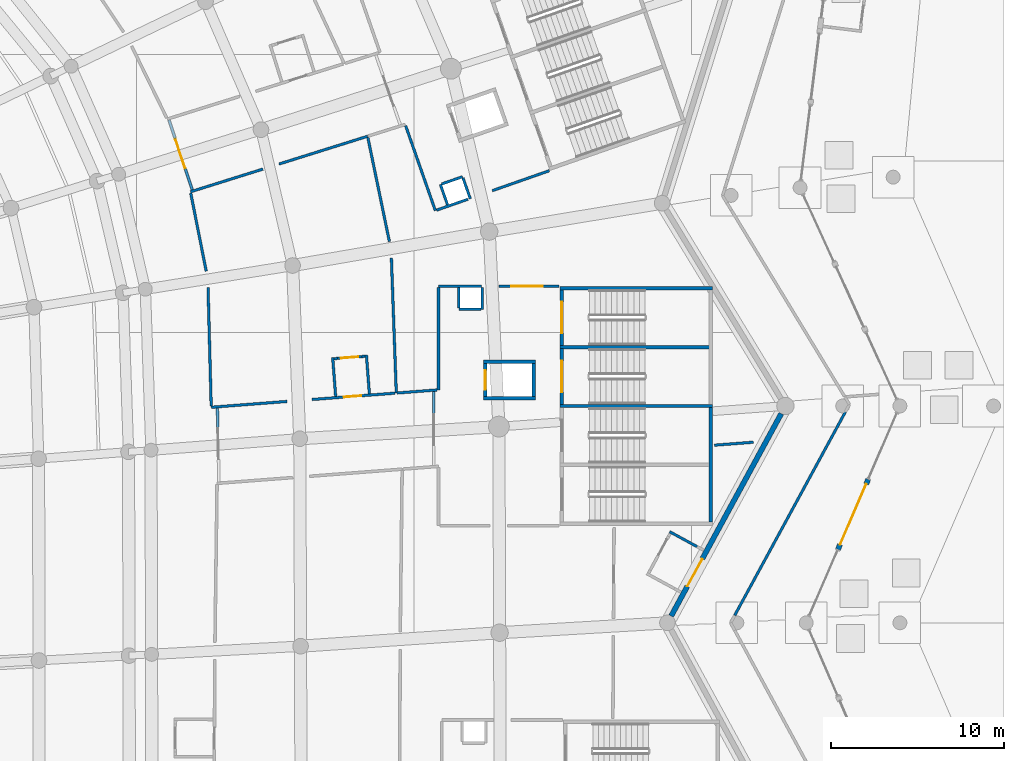
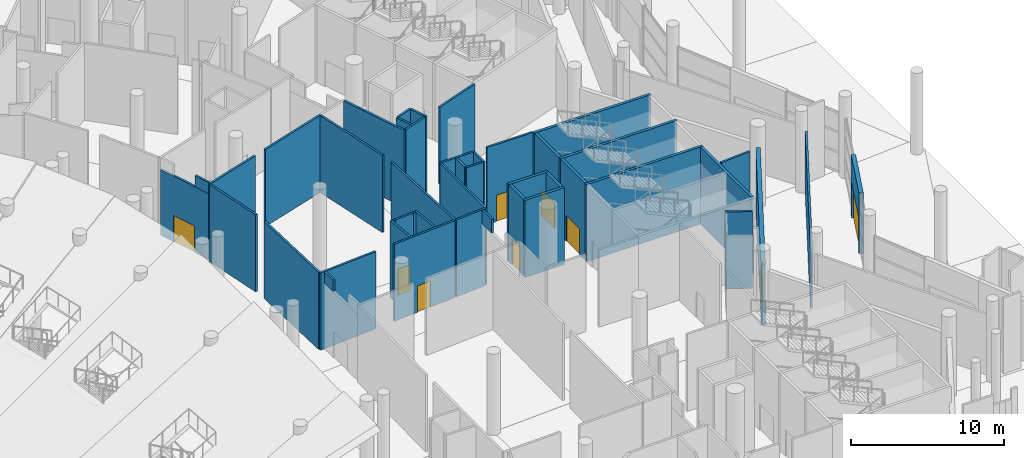
# One storey, part 147 of 255: 45 walls, 9 doors, 9 openings.
"""IFC4 building model written with IfcOpenShell, lengths in metres."""

import ifcopenshell
import ifcopenshell.guid

model = None  # the IFC model being written
_history = None  # IfcOwnerHistory: only IFC2X3 demands one
_inside = {}  # id of a spatial element -> (the spatial element, [elements in it])
_under = {}  # id of a project, library or spatial element -> (it, [spatial elements below it])
_declared = {}  # id of a project -> (the project, [libraries it declares])
_typed = {}  # id of a type object -> (the type object, [elements of that type])
_made_of = {}  # id of a material, layer set ... -> (it, [elements and type objects made of it])


def new_model(schema):
    """Start an empty IFC model of exactly this schema.

    Asked for "IFC4X3", IfcOpenShell would pick the latest addendum, in which some entities
    have other attributes; the version numbers below select the first issue.
    IFC2X3 requires an IfcOwnerHistory on every rooted entity: one is made here for all.
    """
    global model, _history
    if schema == "IFC4X3":
        model = ifcopenshell.file(schema_version=(4, 3, 0, 0))
    else:
        model = ifcopenshell.file(schema=schema)
    _inside.clear()
    _under.clear()
    _declared.clear()
    _typed.clear()
    _made_of.clear()
    _history = None
    if model.schema == "IFC2X3":
        org = make("IfcOrganization", Name="unknown")
        user = make(
            "IfcPersonAndOrganization",
            ThePerson=make("IfcPerson", FamilyName="unknown"),
            TheOrganization=org,
        )
        app = make(
            "IfcApplication",
            ApplicationDeveloper=org,
            Version="unknown",
            ApplicationFullName="unknown",
            ApplicationIdentifier="unknown",
        )
        _history = make(
            "IfcOwnerHistory",
            OwningUser=user,
            OwningApplication=app,
            ChangeAction="ADDED",
            CreationDate=0,
        )
    return model


def make(cls, **values):
    """One entity of the class cls with the attributes given. An attribute that is None is left unset."""
    return model.create_entity(
        cls, **{name: value for name, value in values.items() if value is not None}
    )


def rooted(cls, **values):
    """An entity with a GlobalId (a new one), such as an element, a storey or a relation."""
    return make(cls, GlobalId=ifcopenshell.guid.new(), OwnerHistory=_history, **values)


def si_unit(unit_type, name, prefix=None):
    """IfcSIUnit, for example si_unit("LENGTHUNIT", "METRE", prefix="MILLI")."""
    return make("IfcSIUnit", UnitType=unit_type, Prefix=prefix, Name=name)


def assignment(units):
    """IfcUnitAssignment: the units of a project."""
    return None if units is None else make("IfcUnitAssignment", Units=units)


def point(xyz):
    """IfcCartesianPoint."""
    return None if xyz is None else make("IfcCartesianPoint", Coordinates=xyz)


def direction(xyz):
    """IfcDirection."""
    return None if xyz is None else make("IfcDirection", DirectionRatios=xyz)


def frame(location, z_axis=None, x_axis=None):
    """IfcAxis2Placement3D, a coordinate frame: its origin and axes. An axis left out is left unset."""
    return make(
        "IfcAxis2Placement3D",
        Location=point(location),
        Axis=direction(z_axis),
        RefDirection=direction(x_axis),
    )


def frame_2d(location, x_axis=None):
    """IfcAxis2Placement2D, a coordinate frame in the plane: its origin and x axis."""
    return make(
        "IfcAxis2Placement2D", Location=point(location), RefDirection=direction(x_axis)
    )


def origin():
    """The frame at (0, 0, 0) with its axes left unset."""
    return frame((0.0, 0.0, 0.0))


def place(relative_to, where):
    """IfcLocalPlacement: puts the frame where relative to a parent placement (None: the world)."""
    return make(
        "IfcLocalPlacement", PlacementRelTo=relative_to, RelativePlacement=where
    )


def context(
    kind, dimensions, precision=None, world=None, true_north=None, identifier=None
):
    """IfcGeometricRepresentationContext, for example the 3D "Model" context."""
    return make(
        "IfcGeometricRepresentationContext",
        ContextIdentifier=identifier,
        ContextType=kind,
        CoordinateSpaceDimension=dimensions,
        Precision=precision,
        WorldCoordinateSystem=world,
        TrueNorth=true_north,
    )


def subcontext(parent, identifier, kind, view, scale=None):
    """IfcGeometricRepresentationSubContext, for example "Body" below "Model"."""
    return make(
        "IfcGeometricRepresentationSubContext",
        ContextIdentifier=identifier,
        ContextType=kind,
        ParentContext=parent,
        TargetScale=scale,
        TargetView=view,
    )


def project(units=None, contexts=None):
    """IfcProject with its units and contexts."""
    return rooted(
        "IfcProject",
        Name="project",
        RepresentationContexts=contexts,
        UnitsInContext=assignment(units),
    )


def spatial(cls, under=None, at=None, **own):
    """A site, building, storey or space (cls), placed at a placement, below another one or the project."""
    s = rooted(cls, ObjectPlacement=at, **own)
    if under is not None:
        _under.setdefault(under.id(), (under, []))[1].append(s)
    return s


def profile(cls, at=None, kind="AREA", **sizes):
    """A parametric profile (cls). Its sizes go by their IFC names, for example OverallWidth=200.0."""
    return make(cls, ProfileType=kind, Position=at, **sizes)


def rectangle(**sizes):
    """IfcRectangleProfileDef."""
    return profile("IfcRectangleProfileDef", **sizes)


def extrude(swept, where, along, depth):
    """IfcExtrudedAreaSolid: the profile swept, set in the frame where, extruded along a direction by depth."""
    return make(
        "IfcExtrudedAreaSolid",
        SweptArea=swept,
        Position=where,
        ExtrudedDirection=direction(along),
        Depth=depth,
    )


def shape(context_of_items, identifier, shape_type, items):
    """IfcShapeRepresentation: the items that make up one representation, for example the "Body"."""
    return make(
        "IfcShapeRepresentation",
        ContextOfItems=context_of_items,
        RepresentationIdentifier=identifier,
        RepresentationType=shape_type,
        Items=items,
    )


def material(Name=None, Category=None):
    """IfcMaterial."""
    return make("IfcMaterial", Name=Name, Category=Category)


def layer(
    of_material, thickness, ventilated=None, Name=None, Category=None, Priority=None
):
    """IfcMaterialLayer: one layer of a wall or slab, of a material (None: an air gap)."""
    return make(
        "IfcMaterialLayer",
        Material=of_material,
        LayerThickness=thickness,
        IsVentilated=ventilated,
        Name=Name,
        Category=Category,
        Priority=Priority,
    )


def layer_set(layers, Name=None):
    """IfcMaterialLayerSet."""
    return make("IfcMaterialLayerSet", MaterialLayers=layers, LayerSetName=Name)


def made_of(thing, what):
    """Note that an element or type object is made of a material, layer set ...; save() writes the relation."""
    if what is not None:
        _made_of.setdefault(what.id(), (what, []))[1].append(thing)
    return thing


def type_object(cls, material=None, **own):
    """A type object (cls), such as IfcWallType, which elements share."""
    return made_of(rooted(cls, **own), material)


def element(
    cls,
    number,
    at=None,
    inside=None,
    cuts=None,
    type_object=None,
    material=None,
    context=None,
    identifier="Body",
    shape_type=None,
    held_by="IfcProductDefinitionShape",
    body=None,
    shapes=None,
    **own,
):
    """One element of the class cls, such as IfcWall. Its Tag is "e" and its number.

    at: its placement. inside: the storey or other place that contains it. cuts: it is an
    opening in that element (IfcRelVoidsElement). A single representation is given by context,
    identifier, shape_type and body (its items); several are given by shapes. held_by: the class
    of the entity that holds the representations. save() writes the other relations.
    """
    e = rooted(cls, Tag="e%d" % number, ObjectPlacement=at, **own)
    if body is not None:
        shapes = [shape(context, identifier, shape_type, body)]
    if shapes is not None:
        e.Representation = make(held_by, Representations=shapes)
    if inside is not None:
        _inside.setdefault(inside.id(), (inside, []))[1].append(e)
    if cuts is not None:
        rooted(
            "IfcRelVoidsElement", RelatingBuildingElement=cuts, RelatedOpeningElement=e
        )
    if type_object is not None:
        _typed.setdefault(type_object.id(), (type_object, []))[1].append(e)
    return made_of(e, material)


def fill(opening, filler):
    """IfcRelFillsElement: the door or window that sits in an opening."""
    return rooted(
        "IfcRelFillsElement",
        RelatingOpeningElement=opening,
        RelatedBuildingElement=filler,
    )


def aggregate(whole, parts):
    """IfcRelAggregates: a whole, such as a stair, and the parts it consists of."""
    return rooted("IfcRelAggregates", RelatingObject=whole, RelatedObjects=parts)


def save(model, path):
    """Write the relations noted so far, then the file.

    IfcRelAggregates (storeys below a building ...), IfcRelContainedInSpatialStructure (elements
    in a storey), IfcRelDefinesByType, IfcRelAssociatesMaterial and IfcRelDeclares: one each for
    every whole, place, type object, material and project.
    """
    for whole, parts in _under.values():
        aggregate(whole, parts)
    for where, things in _inside.values():
        rooted(
            "IfcRelContainedInSpatialStructure",
            RelatedElements=things,
            RelatingStructure=where,
        )
    for kind, things in _typed.values():
        rooted("IfcRelDefinesByType", RelatedObjects=things, RelatingType=kind)
    for what, things in _made_of.values():
        rooted("IfcRelAssociatesMaterial", RelatedObjects=things, RelatingMaterial=what)
    for by, libraries in _declared.values():
        rooted("IfcRelDeclares", RelatingContext=by, RelatedDefinitions=libraries)
    model.write(path)


model = new_model("IFC4")

# Units and contexts
model_context = context("Model", 3, precision=1e-05, world=origin(), true_north=direction((0.0, 1.0)))
body_context = subcontext(model_context, "Body", "Model", "MODEL_VIEW")
ifc_project = project(units=[si_unit("LENGTHUNIT", "METRE"), si_unit("AREAUNIT", "SQUARE_METRE"), si_unit("VOLUMEUNIT", "CUBIC_METRE"), si_unit("PLANEANGLEUNIT", "RADIAN"), si_unit("MASSUNIT", "GRAM", prefix="KILO")], contexts=[model_context])

# Site, building, storey
site_placement = place(None, origin())
site = spatial("IfcSite", under=ifc_project, at=site_placement, CompositionType="ELEMENT")
building_placement = place(site_placement, origin())
building = spatial("IfcBuilding", under=site, at=building_placement, Name="Meseta Stadium", CompositionType="ELEMENT")
storey_placement = place(building_placement, origin())
storey = spatial("IfcBuildingStorey", under=building, at=storey_placement, Name="L00", CompositionType="ELEMENT", Elevation=0.0)

# Walls
ifc_material_1 = material(Name="Concrete C40/50", Category="concrete")
ifc_layer_1 = layer(ifc_material_1, 0.199951171875)
ifc_layer_set_1 = layer_set([ifc_layer_1], Name="Core divider wall 200")
wall_type_1 = type_object("IfcWallType", Name="Core divider wall 200", PredefinedType="SHEAR", material=ifc_layer_set_1)
wall_1_placement = place(storey_placement, frame((97.199951171875, 47.14990234375, 0.0), z_axis=(0.0, 0.0, 1.0), x_axis=(-1.0, 0.0, 0.0)))
element("IfcWall", 1, at=wall_1_placement, inside=storey, type_object=wall_type_1, Name="Core 05 L00 stair B divider wall", PredefinedType="SHEAR", context=body_context, shape_type="SweptSolid", body=[
    extrude(rectangle(XDim=8.800048828125, YDim=0.199951171875, at=frame_2d((4.39990234375, 0.0))), origin(), (0.0, 0.0, 1.0), 6.14990234375),
])
ifc_material_2 = material(Name="Concrete C40/50", Category="concrete")
ifc_layer_2 = layer(ifc_material_2, 0.199951171875)
ifc_layer_set_2 = layer_set([ifc_layer_2], Name="Core shaft wall 200")
wall_type_2 = type_object("IfcWallType", Name="Core shaft wall 200", PredefinedType="SHEAR", material=ifc_layer_set_2)
for number, where, z_axis, x_axis, name in (
    (2, (97.199951171875, 43.75, 0.0), (0.0, 0.0, 1.0), (-1.0, 0.0, 0.0), "Core 05 L00 stair wall shared"),
    (3, (97.199951171875, 50.550048828125, 0.0), (0.0, 0.0, 1.0), (-1.0, 0.0, 0.0), "Core 05 L00 stair wall B-side"),
):
    element("IfcWall", number, at=place(storey_placement, frame(where, z_axis=z_axis, x_axis=x_axis)), inside=storey, type_object=wall_type_2, Name=name, PredefinedType="SHEAR", context=body_context, shape_type="SweptSolid", body=[
        extrude(rectangle(XDim=8.800048828125, YDim=0.199951171875, at=frame_2d((4.39990234375, 0.0))), origin(), (0.0, 0.0, 1.0), 6.14990234375),
    ])
wall_2_placement = place(storey_placement, frame((97.10009765625, 37.050048828125, 0.0), z_axis=(0.0, 0.0, 1.0), x_axis=(0.0, 1.0, 0.0)))
element("IfcWall", 4, at=wall_2_placement, inside=storey, type_object=wall_type_2, Name="Core 05 L00 stair A outer end wall", PredefinedType="SHEAR", context=body_context, shape_type="SweptSolid", body=[
    extrude(rectangle(XDim=6.599853515625, YDim=0.199951171875, at=frame_2d((3.2998046875, 0.0))), origin(), (0.0, 0.0, 1.0), 6.14990234375),
])

# Wall, opening, door
wall_3_placement = place(storey_placement, frame((88.5, 43.85009765625, 0.0), z_axis=(0.0, 0.0, 1.0), x_axis=(0.0, 1.0, 0.0)))
wall_3 = element("IfcWall", 5, at=wall_3_placement, inside=storey, type_object=wall_type_2, Name="Core 05 L00 stair B1 inner end wall", PredefinedType="SHEAR", context=body_context, shape_type="SweptSolid", body=[
    extrude(rectangle(XDim=3.199951171875, YDim=0.199951171875, at=frame_2d((1.60009765625, 0.0))), origin(), (0.0, 0.0, 1.0), 6.14990234375),
])
opening_1_placement = place(wall_3_placement, frame((0.699951171875, 0.0, 0.0)))
opening_1 = element("IfcOpeningElement", 6, at=opening_1_placement, cuts=wall_3, Name="Opening D085", PredefinedType="OPENING", context=body_context, shape_type="SweptSolid", body=[
    extrude(rectangle(XDim=1.800048828125, YDim=2.10009765625, at=frame_2d((0.89990234375, 1.050048828125))), frame((0.0, 0.10986328125, 0.0), z_axis=(0.0, -1.0, 0.0), x_axis=(1.0, 0.0, 0.0)), (0.0, 0.0, 1.0), 0.219970703125),
])
ifc_material_3 = material(Name="Steel", Category="steel")
door_type_1 = type_object("IfcDoorType", Name="Stair door 1800x2100", OperationType="DOUBLE_DOOR_SINGLE_SWING", PredefinedType="DOOR", material=ifc_material_3)
door_1_placement = place(opening_1_placement, origin())
door_1 = element("IfcDoor", 7, at=door_1_placement, inside=storey, type_object=door_type_1, Name="Stair B1 door 05 L00", OperationType="DOUBLE_DOOR_SINGLE_SWING", OverallHeight=2.10009765625, OverallWidth=1.800048828125, PredefinedType="DOOR", context=body_context, shape_type="SweptSolid", body=[
    extrude(rectangle(XDim=1.800048828125, YDim=2.10009765625, at=frame_2d((0.89990234375, 1.050048828125))), frame((0.0, 0.02490234375, 0.0), z_axis=(0.0, -1.0, 0.0), x_axis=(1.0, 0.0, 0.0)), (0.0, 0.0, 1.0), 0.050048828125),
])
fill(opening_1, door_1)

wall_4_placement = place(storey_placement, frame((88.5, 47.25, 0.0), z_axis=(0.0, 0.0, 1.0), x_axis=(0.0, 1.0, 0.0)))
wall_4 = element("IfcWall", 8, at=wall_4_placement, inside=storey, type_object=wall_type_2, Name="Core 05 L00 stair B2 inner end wall", PredefinedType="SHEAR", context=body_context, shape_type="SweptSolid", body=[
    extrude(rectangle(XDim=3.199951171875, YDim=0.199951171875, at=frame_2d((1.60009765625, 0.0))), origin(), (0.0, 0.0, 1.0), 6.14990234375),
])
opening_2_placement = place(wall_4_placement, frame((0.699951171875, 0.0, 0.0)))
opening_2 = element("IfcOpeningElement", 9, at=opening_2_placement, cuts=wall_4, Name="Opening D086", PredefinedType="OPENING", context=body_context, shape_type="SweptSolid", body=[
    extrude(rectangle(XDim=1.800048828125, YDim=2.10009765625, at=frame_2d((0.89990234375, 1.050048828125))), frame((0.0, 0.10986328125, 0.0), z_axis=(0.0, -1.0, 0.0), x_axis=(1.0, 0.0, 0.0)), (0.0, 0.0, 1.0), 0.219970703125),
])
door_2_placement = place(opening_2_placement, origin())
door_2 = element("IfcDoor", 10, at=door_2_placement, inside=storey, type_object=door_type_1, Name="Stair B2 door 05 L00", OperationType="DOUBLE_DOOR_SINGLE_SWING", OverallHeight=2.10009765625, OverallWidth=1.800048828125, PredefinedType="DOOR", context=body_context, shape_type="SweptSolid", body=[
    extrude(rectangle(XDim=1.800048828125, YDim=2.10009765625, at=frame_2d((0.89990234375, 1.050048828125))), frame((0.0, 0.02490234375, 0.0), z_axis=(0.0, -1.0, 0.0), x_axis=(1.0, 0.0, 0.0)), (0.0, 0.0, 1.0), 0.050048828125),
])
fill(opening_2, door_2)

# Walls
for number, where, z_axis, x_axis, name in (
    (11, (87.0, 44.199951171875, 0.0), (0.0, 0.0, 1.0), (-1.0, 0.0, 0.0), "Core 05 L00 lift shaft wall left"),
    (12, (87.0, 46.300048828125, 0.0), (0.0, 0.0, 1.0), (-1.0, 0.0, 0.0), "Core 05 L00 lift shaft wall right"),
):
    element("IfcWall", number, at=place(storey_placement, frame(where, z_axis=z_axis, x_axis=x_axis)), inside=storey, type_object=wall_type_2, Name=name, PredefinedType="SHEAR", context=body_context, shape_type="SweptSolid", body=[
        extrude(rectangle(XDim=3.0, YDim=0.199951171875, at=frame_2d((1.5, 0.0))), origin(), (0.0, 0.0, 1.0), 6.14990234375),
    ])
wall_5_placement = place(storey_placement, frame((86.89990234375, 44.300048828125, 0.0), z_axis=(0.0, 0.0, 1.0), x_axis=(0.0, 1.0, 0.0)))
element("IfcWall", 13, at=wall_5_placement, inside=storey, type_object=wall_type_2, Name="Core 05 L00 lift shaft back wall", PredefinedType="SHEAR", context=body_context, shape_type="SweptSolid", body=[
    extrude(rectangle(XDim=1.89990234375, YDim=0.199951171875, at=frame_2d((0.949951171875, 0.0))), origin(), (0.0, 0.0, 1.0), 6.14990234375),
])

# Wall, opening, door
wall_6_placement = place(storey_placement, frame((84.10009765625, 44.300048828125, 0.0), z_axis=(0.0, 0.0, 1.0), x_axis=(0.0, 1.0, 0.0)))
wall_6 = element("IfcWall", 14, at=wall_6_placement, inside=storey, type_object=wall_type_2, Name="Core 05 L00 lift shaft front wall", PredefinedType="SHEAR", context=body_context, shape_type="SweptSolid", body=[
    extrude(rectangle(XDim=1.89990234375, YDim=0.199951171875, at=frame_2d((0.949951171875, 0.0))), origin(), (0.0, 0.0, 1.0), 6.14990234375),
])
opening_3_placement = place(wall_6_placement, frame((0.39990234375, 0.0, 0.0)))
opening_3 = element("IfcOpeningElement", 15, at=opening_3_placement, cuts=wall_6, Name="Opening LD26", PredefinedType="OPENING", context=body_context, shape_type="SweptSolid", body=[
    extrude(rectangle(XDim=1.10009765625, YDim=2.10009765625, at=frame_2d((0.550048828125, 1.050048828125))), frame((0.0, 0.10986328125, 0.0), z_axis=(0.0, -1.0, 0.0), x_axis=(1.0, 0.0, 0.0)), (0.0, 0.0, 1.0), 0.219970703125),
])
ifc_material_4 = material(Name="Steel", Category="steel")
door_type_2 = type_object("IfcDoorType", Name="Lift landing door 1100x2100", OperationType="SLIDING_TO_LEFT", PredefinedType="DOOR", material=ifc_material_4)
door_3_placement = place(opening_3_placement, origin())
door_3 = element("IfcDoor", 16, at=door_3_placement, inside=storey, type_object=door_type_2, Name="Lift landing door LD26", OperationType="SLIDING_TO_RIGHT", OverallHeight=2.10009765625, OverallWidth=1.10009765625, PredefinedType="DOOR", context=body_context, shape_type="SweptSolid", body=[
    extrude(rectangle(XDim=1.10009765625, YDim=2.10009765625, at=frame_2d((0.550048828125, 1.050048828125))), frame((0.0, 0.02490234375, 0.0), z_axis=(0.0, -1.0, 0.0), x_axis=(1.0, 0.0, 0.0)), (0.0, 0.0, 1.0), 0.050048828125),
])
fill(opening_3, door_3)

# Walls
ifc_material_5 = material(Name="Masonry blockwork", Category="masonry")
ifc_layer_3 = layer(ifc_material_5, 0.14990234375)
ifc_layer_set_3 = layer_set([ifc_layer_3], Name="Partition 150")
wall_type_3 = type_object("IfcWallType", Name="Partition 150", PredefinedType="PARTITIONING", material=ifc_layer_set_3)
wall_7_placement = place(storey_placement, frame((97.300048828125, 41.48974609375, 0.0), z_axis=(0.0, 0.0, 1.0), x_axis=(0.99706720675, 0.076530942913, 0.0)))
element("IfcWall", 17, at=wall_7_placement, inside=storey, type_object=wall_type_3, Name="Partition L00 L00-cell03-3-0", PredefinedType="PARTITIONING", context=body_context, shape_type="SweptSolid", body=[
    extrude(rectangle(XDim=2.25537109375, YDim=0.14990234375, at=frame_2d((1.127685546875, 0.0))), origin(), (0.0, 0.0, 1.0), 6.14990234375),
])
wall_8_placement = place(storey_placement, frame((67.1044921875, 56.09716796875, 0.0), z_axis=(0.0, 0.0, 1.0), x_axis=(0.954202691719, 0.299160864947, 0.0)))
element("IfcWall", 18, at=wall_8_placement, inside=storey, type_object=wall_type_3, Name="Partition L00 L00-cell04-1-0", PredefinedType="PARTITIONING", context=body_context, shape_type="SweptSolid", body=[
    extrude(rectangle(XDim=4.37744140625, YDim=0.14990234375, at=frame_2d((2.188720703125, 0.0))), origin(), (0.0, 0.0, 1.0), 6.14990234375),
])
wall_9_placement = place(storey_placement, frame((72.209716796875, 57.69775390625, 0.0), z_axis=(0.0, 0.0, 1.0), x_axis=(0.954194522847, 0.299186919115, 0.0)))
element("IfcWall", 19, at=wall_9_placement, inside=storey, type_object=wall_type_3, Name="Partition L00 L00-cell04-1-0", PredefinedType="PARTITIONING", context=body_context, shape_type="SweptSolid", body=[
    extrude(rectangle(XDim=5.349853515625, YDim=0.14990234375, at=frame_2d((2.6748046875, 0.0))), origin(), (0.0, 0.0, 1.0), 6.14990234375),
])
wall_10_placement = place(storey_placement, frame((77.329833984375, 59.224609375, 0.0), z_axis=(0.0, 0.0, 1.0), x_axis=(0.20289695764, -0.979200094251, 0.0)))
element("IfcWall", 20, at=wall_10_placement, inside=storey, type_object=wall_type_3, Name="Partition L00 L00-cell04-1-0", PredefinedType="PARTITIONING", context=body_context, shape_type="SweptSolid", body=[
    extrude(rectangle(XDim=6.12353515625, YDim=0.14990234375, at=frame_2d((3.061767578125, 0.0))), origin(), (0.0, 0.0, 1.0), 6.14990234375),
])
wall_11_placement = place(storey_placement, frame((78.686767578125, 52.275146484375, 0.0), z_axis=(0.0, 0.0, 1.0), x_axis=(0.036317977956, -0.999340284626, 0.0)))
element("IfcWall", 21, at=wall_11_placement, inside=storey, type_object=wall_type_3, Name="Partition L00 L00-cell04-1-0", PredefinedType="PARTITIONING", context=body_context, shape_type="SweptSolid", body=[
    extrude(rectangle(XDim=7.784423828125, YDim=0.14990234375, at=frame_2d((3.89208984375, 0.0))), origin(), (0.0, 0.0, 1.0), 6.14990234375),
])

# Wall, opening, door
wall_12_placement = place(storey_placement, frame((78.89453125, 44.489990234375, 0.0), z_axis=(0.0, 0.0, 1.0), x_axis=(-0.997067367673, -0.076528846332, 0.0)))
wall_12 = element("IfcWall", 22, at=wall_12_placement, inside=storey, type_object=wall_type_3, Name="Partition L00 L00-cell04-1-0", PredefinedType="PARTITIONING", context=body_context, shape_type="SweptSolid", body=[
    extrude(rectangle(XDim=4.78857421875, YDim=0.14990234375, at=frame_2d((2.394287109375, 0.0))), origin(), (0.0, 0.0, 1.0), 6.14990234375),
])
opening_4_placement = place(wall_12_placement, frame((1.949951171875, 0.0, 0.0)))
opening_4 = element("IfcOpeningElement", 23, at=opening_4_placement, cuts=wall_12, Name="Opening D549", PredefinedType="OPENING", context=body_context, shape_type="SweptSolid", body=[
    extrude(rectangle(XDim=1.0, YDim=2.10009765625, at=frame_2d((0.5, 1.050048828125))), frame((0.0, 0.0849609375, 0.0), z_axis=(0.0, -1.0, 0.0), x_axis=(1.0, 0.0, 0.0)), (0.0, 0.0, 1.0), 0.169921875),
])
ifc_material_6 = material(Name="Steel", Category="steel")
door_type_3 = type_object("IfcDoorType", Name="Fire door 1000x2100 EI2 60", OperationType="NOTDEFINED", PredefinedType="DOOR", material=ifc_material_6)
door_4_placement = place(opening_4_placement, origin())
door_4 = element("IfcDoor", 24, at=door_4_placement, inside=storey, type_object=door_type_3, Name="Door D549", OperationType="SINGLE_SWING_LEFT", OverallHeight=2.10009765625, OverallWidth=1.0, PredefinedType="DOOR", context=body_context, shape_type="SweptSolid", body=[
    extrude(rectangle(XDim=1.0, YDim=2.10009765625, at=frame_2d((0.5, 1.050048828125))), frame((0.0, 0.02490234375, 0.0), z_axis=(0.0, -1.0, 0.0), x_axis=(1.0, 0.0, 0.0)), (0.0, 0.0, 1.0), 0.050048828125),
])
fill(opening_4, door_4)

# Walls
wall_13_placement = place(storey_placement, frame((72.665283203125, 44.011962890625, 0.0), z_axis=(0.0, 0.0, 1.0), x_axis=(-0.997067921491, -0.076521630491, 0.0)))
element("IfcWall", 25, at=wall_13_placement, inside=storey, type_object=wall_type_3, Name="Partition L00 L00-cell04-1-0", PredefinedType="PARTITIONING", context=body_context, shape_type="SweptSolid", body=[
    extrude(rectangle(XDim=4.37744140625, YDim=0.14990234375, at=frame_2d((2.188720703125, 0.0))), origin(), (0.0, 0.0, 1.0), 6.14990234375),
])
wall_14_placement = place(storey_placement, frame((68.298828125, 43.751953125, 0.0), z_axis=(0.0, 0.0, 1.0), x_axis=(-0.026496890281, 0.999648895766, 0.0)))
element("IfcWall", 26, at=wall_14_placement, inside=storey, type_object=wall_type_3, Name="Partition L00 L00-cell04-1-0", PredefinedType="PARTITIONING", context=body_context, shape_type="SweptSolid", body=[
    extrude(rectangle(XDim=6.818359375, YDim=0.14990234375, at=frame_2d((3.4091796875, 0.0))), origin(), (0.0, 0.0, 1.0), 6.14990234375),
])
wall_15_placement = place(storey_placement, frame((68.01416015625, 51.51806640625, 0.0), z_axis=(0.0, 0.0, 1.0), x_axis=(-0.194807566784, 0.980841481547, 0.0)))
element("IfcWall", 27, at=wall_15_placement, inside=storey, type_object=wall_type_3, Name="Partition L00 L00-cell04-1-0", PredefinedType="PARTITIONING", context=body_context, shape_type="SweptSolid", body=[
    extrude(rectangle(XDim=4.593017578125, YDim=0.14990234375, at=frame_2d((2.29638671875, 0.0))), origin(), (0.0, 0.0, 1.0), 6.14990234375),
])
wall_16_placement = place(storey_placement, frame((79.508056640625, 59.907470703125, 0.0), z_axis=(0.0, 0.0, 1.0), x_axis=(0.330291692253, -0.943878910681, 0.0)))
element("IfcWall", 28, at=wall_16_placement, inside=storey, type_object=wall_type_3, Name="Partition L00 L00-cell04-2-0", PredefinedType="PARTITIONING", context=body_context, shape_type="SweptSolid", body=[
    extrude(rectangle(XDim=5.1845703125, YDim=0.14990234375, at=frame_2d((2.59228515625, 0.0))), origin(), (0.0, 0.0, 1.0), 6.14990234375),
])
wall_17_placement = place(storey_placement, frame((81.291259765625, 55.038818359375, 0.0), z_axis=(0.0, 0.0, 1.0), x_axis=(0.943910062753, 0.330202655097, 0.0)))
element("IfcWall", 29, at=wall_17_placement, inside=storey, type_object=wall_type_3, Name="Partition L00 L00-cell04-2-0", PredefinedType="PARTITIONING", context=body_context, shape_type="SweptSolid", body=[
    extrude(rectangle(XDim=1.91357421875, YDim=0.14990234375, at=frame_2d((0.956787109375, 0.0))), origin(), (0.0, 0.0, 1.0), 6.14990234375),
])
wall_18_placement = place(storey_placement, frame((84.505126953125, 56.163330078125, 0.0), z_axis=(0.0, 0.0, 1.0), x_axis=(0.943878042103, 0.330294174389, 0.0)))
element("IfcWall", 30, at=wall_18_placement, inside=storey, type_object=wall_type_3, Name="Partition L00 L00-cell04-2-0", PredefinedType="PARTITIONING", context=body_context, shape_type="SweptSolid", body=[
    extrude(rectangle(XDim=3.47998046875, YDim=0.14990234375, at=frame_2d((1.739990234375, 0.0))), origin(), (0.0, 0.0, 1.0), 6.14990234375),
])

# Wall, opening, door
wall_19_placement = place(storey_placement, frame((88.360107421875, 50.64990234375, 0.0), z_axis=(0.0, 0.0, 1.0), x_axis=(-1.0, 0.0, 0.0)))
wall_19 = element("IfcWall", 31, at=wall_19_placement, inside=storey, type_object=wall_type_3, Name="Partition L00 L00-cell04-2-0", PredefinedType="PARTITIONING", context=body_context, shape_type="SweptSolid", body=[
    extrude(rectangle(XDim=3.480224609375, YDim=0.14990234375, at=frame_2d((1.740234375, 0.0))), origin(), (0.0, 0.0, 1.0), 6.14990234375),
])
opening_5_placement = place(wall_19_placement, frame((0.949951171875, 0.0, 0.0)))
opening_5 = element("IfcOpeningElement", 32, at=opening_5_placement, cuts=wall_19, Name="Opening D550", PredefinedType="OPENING", context=body_context, shape_type="SweptSolid", body=[
    extrude(rectangle(XDim=1.800048828125, YDim=2.10009765625, at=frame_2d((0.89990234375, 1.050048828125))), frame((0.0, 0.0849609375, 0.0), z_axis=(0.0, -1.0, 0.0), x_axis=(1.0, 0.0, 0.0)), (0.0, 0.0, 1.0), 0.169921875),
])
ifc_material_7 = material(Name="Timber", Category="wood")
door_type_4 = type_object("IfcDoorType", Name="Room double door 1800x2100", OperationType="DOUBLE_DOOR_SINGLE_SWING", PredefinedType="DOOR", material=ifc_material_7)
door_5_placement = place(opening_5_placement, origin())
door_5 = element("IfcDoor", 33, at=door_5_placement, inside=storey, type_object=door_type_4, Name="Door D550", OperationType="DOUBLE_DOOR_SINGLE_SWING", OverallHeight=2.10009765625, OverallWidth=1.800048828125, PredefinedType="DOOR", context=body_context, shape_type="SweptSolid", body=[
    extrude(rectangle(XDim=1.800048828125, YDim=2.10009765625, at=frame_2d((0.89990234375, 1.050048828125))), frame((0.0, 0.02490234375, 0.0), z_axis=(0.0, -1.0, 0.0), x_axis=(1.0, 0.0, 0.0)), (0.0, 0.0, 1.0), 0.050048828125),
])
fill(opening_5, door_5)

# Walls
wall_20_placement = place(storey_placement, frame((83.8857421875, 50.64990234375, 0.0), z_axis=(0.0, 0.0, 1.0), x_axis=(-1.0, 0.0, 0.0)))
element("IfcWall", 34, at=wall_20_placement, inside=storey, type_object=wall_type_3, Name="Partition L00 L00-cell04-2-0", PredefinedType="PARTITIONING", context=body_context, shape_type="SweptSolid", body=[
    extrude(rectangle(XDim=2.48583984375, YDim=0.14990234375, at=frame_2d((1.242919921875, 0.0))), origin(), (0.0, 0.0, 1.0), 6.14990234375),
])
wall_21_placement = place(storey_placement, frame((81.39990234375, 50.574951171875, 0.0), z_axis=(0.0, 0.0, 1.0), x_axis=(0.0, -1.0, 0.0)))
element("IfcWall", 35, at=wall_21_placement, inside=storey, type_object=wall_type_3, Name="Partition L00 L00-cell04-2-0", PredefinedType="PARTITIONING", context=body_context, shape_type="SweptSolid", body=[
    extrude(rectangle(XDim=5.892578125, YDim=0.14990234375, at=frame_2d((2.9462890625, 0.0))), origin(), (0.0, 0.0, 1.0), 6.14990234375),
])
wall_22_placement = place(storey_placement, frame((81.324951171875, 44.676513671875, 0.0), z_axis=(0.0, 0.0, 1.0), x_axis=(-0.997066273449, -0.076543101255, 0.0)))
element("IfcWall", 36, at=wall_22_placement, inside=storey, type_object=wall_type_3, Name="Partition L00 L00-cell04-2-0", PredefinedType="PARTITIONING", context=body_context, shape_type="SweptSolid", body=[
    extrude(rectangle(XDim=2.3125, YDim=0.14990234375, at=frame_2d((1.15625, 0.0))), origin(), (0.0, 0.0, 1.0), 6.14990234375),
])
wall_23_placement = place(storey_placement, frame((98.47900390625, 31.68408203125, 0.0), z_axis=(0.0, 0.0, 1.0), x_axis=(0.477863362558, 0.878434178937, 0.0)))
element("IfcWall", 37, at=wall_23_placement, inside=storey, type_object=wall_type_3, Name="Partition L00 L00-ring03-0", PredefinedType="PARTITIONING", context=body_context, shape_type="SweptSolid", body=[
    extrude(rectangle(XDim=13.34228515625, YDim=0.14990234375, at=frame_2d((6.671142578125, 0.0))), origin(), (0.0, 0.0, 1.0), 4.85009765625),
])
wall_24_placement = place(storey_placement, frame((83.925048828125, 49.324951171875, 0.0), z_axis=(0.0, 0.0, 1.0), x_axis=(0.0, 1.0, 0.0)))
element("IfcWall", 38, at=wall_24_placement, inside=storey, type_object=wall_type_3, Name="Pressurisation shaft wall L00 core 05", PredefinedType="PARTITIONING", context=body_context, shape_type="SweptSolid", body=[
    extrude(rectangle(XDim=1.2490234375, YDim=0.14990234375, at=frame_2d((0.62451171875, 0.0))), origin(), (0.0, 0.0, 1.0), 6.14990234375),
])
wall_25_placement = place(storey_placement, frame((82.574951171875, 50.573974609375, 0.0), z_axis=(0.0, 0.0, 1.0), x_axis=(0.0, -1.0, 0.0)))
element("IfcWall", 39, at=wall_25_placement, inside=storey, type_object=wall_type_3, Name="Pressurisation shaft wall L00 core 05", PredefinedType="PARTITIONING", context=body_context, shape_type="SweptSolid", body=[
    extrude(rectangle(XDim=1.174072265625, YDim=0.14990234375, at=frame_2d((0.5869140625, 0.0))), origin(), (0.0, 0.0, 1.0), 6.14990234375),
])
wall_26_placement = place(storey_placement, frame((82.574951171875, 49.324951171875, 0.0), z_axis=(0.0, 0.0, 1.0), x_axis=(1.0, 0.0, 0.0)))
element("IfcWall", 40, at=wall_26_placement, inside=storey, type_object=wall_type_3, Name="Pressurisation shaft wall L00 core 05", PredefinedType="PARTITIONING", context=body_context, shape_type="SweptSolid", body=[
    extrude(rectangle(XDim=1.275146484375, YDim=0.14990234375, at=frame_2d((0.6376953125, 0.0))), origin(), (0.0, 0.0, 1.0), 6.14990234375),
])
for number, where, z_axis, x_axis, name in (
    (41, (83.234619140625, 55.692138671875, 0.0), (0.0, 0.0, 1.0), (-0.330324835387, 0.943867312246, 0.0), "Pressurisation shaft wall L00 core 06"),
    (42, (82.78857421875, 56.96630859375, 0.0), (0.0, 0.0, 1.0), (-0.943927004722, -0.330154221169, 0.0), "Pressurisation shaft wall L00 core 06"),
):
    element("IfcWall", number, at=place(storey_placement, frame(where, z_axis=z_axis, x_axis=x_axis)), inside=storey, type_object=wall_type_3, Name=name, PredefinedType="PARTITIONING", context=body_context, shape_type="SweptSolid", body=[
        extrude(rectangle(XDim=1.27490234375, YDim=0.14990234375, at=frame_2d((0.637451171875, 0.0))), origin(), (0.0, 0.0, 1.0), 6.14990234375),
    ])
wall_27_placement = place(storey_placement, frame((81.514404296875, 56.5205078125, 0.0), z_axis=(0.0, 0.0, 1.0), x_axis=(0.33032430547, -0.943867497701, 0.0)))
element("IfcWall", 43, at=wall_27_placement, inside=storey, type_object=wall_type_3, Name="Pressurisation shaft wall L00 core 06", PredefinedType="PARTITIONING", context=body_context, shape_type="SweptSolid", body=[
    extrude(rectangle(XDim=1.2490234375, YDim=0.14990234375, at=frame_2d((0.62451171875, 0.0))), origin(), (0.0, 0.0, 1.0), 6.14990234375),
])
wall_28_placement = place(storey_placement, frame((96.306884765625, 35.643310546875, 0.0), z_axis=(0.0, 0.0, 1.0), x_axis=(-0.878428962466, 0.477872951632, 0.0)))
element("IfcWall", 44, at=wall_28_placement, inside=storey, type_object=wall_type_3, Name="Partition L00 L00-cell03-3-0 vestibule", PredefinedType="PARTITIONING", context=body_context, shape_type="SweptSolid", body=[
    extrude(rectangle(XDim=1.7998046875, YDim=0.14990234375, at=frame_2d((0.89990234375, 0.0))), origin(), (0.0, 0.0, 1.0), 6.14990234375),
])
for number, where, z_axis, x_axis, name in (
    (45, (77.418212890625, 44.451904296875, 0.0), (0.0, 0.0, 1.0), (-0.076497355304, 0.997069784234, 0.0), "Partition L00 L00-cell04-1-0 vestibule"),
    (46, (75.473876953125, 44.302734375, 0.0), (0.0, 0.0, 1.0), (-0.076497355304, 0.997069784234, 0.0), "Partition L00 L00-cell04-1-0 vestibule"),
):
    element("IfcWall", number, at=place(storey_placement, frame(where, z_axis=z_axis, x_axis=x_axis)), inside=storey, type_object=wall_type_3, Name=name, PredefinedType="PARTITIONING", context=body_context, shape_type="SweptSolid", body=[
        extrude(rectangle(XDim=2.25, YDim=0.14990234375, at=frame_2d((1.125, 0.0))), origin(), (0.0, 0.0, 1.0), 6.14990234375),
    ])
wall_29_placement = place(storey_placement, frame((77.177001953125, 46.61474609375, 0.0), z_axis=(0.0, 0.0, 1.0), x_axis=(-0.997132929246, -0.075669818376, 0.0)))
element("IfcWall", 47, at=wall_29_placement, inside=storey, type_object=wall_type_3, Name="Partition L00 L00-cell04-1-0 vestibule", PredefinedType="PARTITIONING", context=body_context, shape_type="SweptSolid", body=[
    extrude(rectangle(XDim=0.199951171875, YDim=0.14990234375, at=frame_2d((0.10009765625, 0.0))), origin(), (0.0, 0.0, 1.0), 6.14990234375),
])

# Wall, opening, door
wall_30_placement = place(storey_placement, frame((76.9775390625, 46.599609375, 0.0), z_axis=(0.0, 0.0, 1.0), x_axis=(-0.997064735611, -0.076563130826, 0.0)))
wall_30 = element("IfcWall", 48, at=wall_30_placement, inside=storey, type_object=wall_type_3, Name="Partition L00 L00-cell04-1-0 vestibule", PredefinedType="PARTITIONING", context=body_context, shape_type="SweptSolid", body=[
    extrude(rectangle(XDim=1.39990234375, YDim=0.14990234375, at=frame_2d((0.699951171875, 0.0))), origin(), (0.0, 0.0, 1.0), 6.14990234375),
])
opening_6_placement = place(wall_30_placement, frame((0.199951171875, 0.0, 0.0)))
opening_6 = element("IfcOpeningElement", 49, at=opening_6_placement, cuts=wall_30, Name="Opening D829", PredefinedType="OPENING", context=body_context, shape_type="SweptSolid", body=[
    extrude(rectangle(XDim=1.0, YDim=2.10009765625, at=frame_2d((0.5, 1.050048828125))), frame((0.0, 0.0849609375, 0.0), z_axis=(0.0, -1.0, 0.0), x_axis=(1.0, 0.0, 0.0)), (0.0, 0.0, 1.0), 0.169921875),
])
door_6_placement = place(opening_6_placement, origin())
door_6 = element("IfcDoor", 50, at=door_6_placement, inside=storey, type_object=door_type_3, Name="Vestibule door L00 L00-cell04-1-0", OperationType="SINGLE_SWING_RIGHT", OverallHeight=2.10009765625, OverallWidth=1.0, PredefinedType="DOOR", context=body_context, shape_type="SweptSolid", body=[
    extrude(rectangle(XDim=1.0, YDim=2.10009765625, at=frame_2d((0.5, 1.050048828125))), frame((0.0, 0.02490234375, 0.0), z_axis=(0.0, -1.0, 0.0), x_axis=(1.0, 0.0, 0.0)), (0.0, 0.0, 1.0), 0.050048828125),
])
fill(opening_6, door_6)

# Walls
wall_31_placement = place(storey_placement, frame((75.581787109375, 46.492431640625, 0.0), z_axis=(0.0, 0.0, 1.0), x_axis=(-0.997040110769, -0.076883141957, 0.0)))
element("IfcWall", 51, at=wall_31_placement, inside=storey, type_object=wall_type_3, Name="Partition L00 L00-cell04-1-0 vestibule", PredefinedType="PARTITIONING", context=body_context, shape_type="SweptSolid", body=[
    extrude(rectangle(XDim=0.199951171875, YDim=0.14990234375, at=frame_2d((0.10009765625, 0.0))), origin(), (0.0, 0.0, 1.0), 6.14990234375),
])
wall_32_placement = place(storey_placement, frame((81.125, 43.330322265625, 5.050048828125), z_axis=(0.0, 0.0, 1.0), x_axis=(0.0, 1.0, 0.0)))
element("IfcWall", 52, at=wall_32_placement, inside=storey, type_object=wall_type_3, Name="Escape corridor sector wall L00 core 05", PredefinedType="PARTITIONING", context=body_context, shape_type="SweptSolid", body=[
    extrude(rectangle(XDim=1.2490234375, YDim=0.14990234375, at=frame_2d((0.62451171875, 0.0))), origin(), (0.0, 0.0, 1.0), 1.099853515625),
])
wall_33_placement = place(storey_placement, frame((68.680419921875, 42.524169921875, 5.25), z_axis=(0.0, 0.0, 1.0), x_axis=(-0.021309547264, 0.999772925816, 0.0)))
element("IfcWall", 53, at=wall_33_placement, inside=storey, type_object=wall_type_3, Name="Escape corridor discharge wall L00 core 05", PredefinedType="PARTITIONING", context=body_context, shape_type="SweptSolid", body=[
    extrude(rectangle(XDim=1.099853515625, YDim=0.14990234375, at=frame_2d((0.5498046875, 0.0))), origin(), (0.0, 0.0, 1.0), 0.89990234375),
])

# Wall, opening, door
wall_34_placement = place(storey_placement, frame((67.20849609375, 56.210693359375, 0.0), z_axis=(0.0, 0.0, 1.0), x_axis=(-0.316176018244, 0.94870054574, 0.0)))
wall_34 = element("IfcWall", 54, at=wall_34_placement, inside=storey, type_object=wall_type_3, Name="Escape corridor discharge wall L00 core 06", PredefinedType="PARTITIONING", context=body_context, shape_type="SweptSolid", body=[
    extrude(rectangle(XDim=4.24609375, YDim=0.14990234375, at=frame_2d((2.123046875, 0.0))), origin(), (0.0, 0.0, 1.0), 5.25),
])
opening_7_placement = place(wall_34_placement, frame((1.296142578125, 0.0, 0.0)))
opening_7 = element("IfcOpeningElement", 55, at=opening_7_placement, cuts=wall_34, Name="Opening D382", PredefinedType="OPENING", context=body_context, shape_type="SweptSolid", body=[
    extrude(rectangle(XDim=1.800048828125, YDim=2.10009765625, at=frame_2d((0.89990234375, 1.050048828125))), frame((0.0, 0.0849609375, 0.0), z_axis=(0.0, -1.0, 0.0), x_axis=(1.0, 0.0, 0.0)), (0.0, 0.0, 1.0), 0.169921875),
])
ifc_material_8 = material(Name="Steel", Category="steel")
door_type_5 = type_object("IfcDoorType", Name="Fire double door 1800x2100 EI2 60", OperationType="DOUBLE_DOOR_SINGLE_SWING", PredefinedType="DOOR", material=ifc_material_8)
door_7_placement = place(opening_7_placement, origin())
door_7 = element("IfcDoor", 56, at=door_7_placement, inside=storey, type_object=door_type_5, Name="Stair discharge door SD06-1", OperationType="DOUBLE_DOOR_SINGLE_SWING", OverallHeight=2.10009765625, OverallWidth=1.800048828125, PredefinedType="DOOR", context=body_context, shape_type="SweptSolid", body=[
    extrude(rectangle(XDim=1.800048828125, YDim=2.10009765625, at=frame_2d((0.89990234375, 1.050048828125))), frame((0.0, 0.02490234375, 0.0), z_axis=(0.0, -1.0, 0.0), x_axis=(1.0, 0.0, 0.0)), (0.0, 0.0, 1.0), 0.050048828125),
])
fill(opening_7, door_7)

# Wall
wall_35_placement = place(storey_placement, frame((67.20849609375, 56.210693359375, 5.25), z_axis=(0.0, 0.0, 1.0), x_axis=(-0.316227766017, 0.948683298051, 0.0)))
element("IfcWall", 57, at=wall_35_placement, inside=storey, type_object=wall_type_3, Name="Escape corridor discharge wall L00 core 06", PredefinedType="PARTITIONING", context=body_context, shape_type="SweptSolid", body=[
    extrude(rectangle(XDim=1.24609375, YDim=0.14990234375, at=frame_2d((0.623046875, 0.0))), origin(), (0.0, 0.0, 1.0), 0.89990234375),
])

# Wall, opening, door
ifc_material_9 = material(Name="White precast concrete C40/50", Category="concrete")
ifc_layer_4 = layer(ifc_material_9, 0.300048828125)
ifc_layer_set_4 = layer_set([ifc_layer_4], Name="Pleated panel wall 300 concourse")
wall_type_4 = type_object("IfcWallType", Name="Pleated panel wall 300 concourse", PredefinedType="SOLIDWALL", material=ifc_layer_set_4)
wall_36_placement = place(storey_placement, frame((101.1611328125, 43.31103515625, 0.0), z_axis=(0.0, 0.0, 1.0), x_axis=(-0.477867771117, -0.878431780691, 0.0)))
wall_36 = element("IfcWall", 58, at=wall_36_placement, inside=storey, type_object=wall_type_4, Name="Pleated facade panel L00 F07", PredefinedType="SOLIDWALL", context=body_context, shape_type="SweptSolid", body=[
    extrude(rectangle(XDim=13.2802734375, YDim=0.300048828125, at=frame_2d((6.64013671875, 0.0))), origin(), (0.0, 0.0, 1.0), 4.85009765625),
])
opening_8_placement = place(wall_36_placement, frame((9.530029296875, 0.0, 0.0)))
opening_8 = element("IfcOpeningElement", 59, at=opening_8_placement, cuts=wall_36, Name="Opening D973", PredefinedType="OPENING", context=body_context, shape_type="SweptSolid", body=[
    extrude(rectangle(XDim=1.800048828125, YDim=2.39990234375, at=frame_2d((0.89990234375, 1.199951171875))), frame((0.0, 0.159912109375, 0.0), z_axis=(0.0, -1.0, 0.0), x_axis=(1.0, 0.0, 0.0)), (0.0, 0.0, 1.0), 0.320068359375),
])
ifc_material_10 = material(Name="Steel", Category="steel")
door_type_6 = type_object("IfcDoorType", Name="Fire double door 1800x2400 EI2 60", OperationType="DOUBLE_DOOR_SINGLE_SWING", PredefinedType="DOOR", material=ifc_material_10)
door_8_placement = place(opening_8_placement, origin())
door_8 = element("IfcDoor", 60, at=door_8_placement, inside=storey, type_object=door_type_6, Name="Concourse door", OperationType="DOUBLE_DOOR_SINGLE_SWING", OverallHeight=2.39990234375, OverallWidth=1.800048828125, PredefinedType="DOOR", context=body_context, shape_type="SweptSolid", body=[
    extrude(rectangle(XDim=1.800048828125, YDim=2.39990234375, at=frame_2d((0.89990234375, 1.199951171875))), frame((0.0, 0.02490234375, 0.0), z_axis=(0.0, -1.0, 0.0), x_axis=(1.0, 0.0, 0.0)), (0.0, 0.0, 1.0), 0.050048828125),
])
fill(opening_8, door_8)

ifc_material_11 = material(Name="Precast concrete C40/50", Category="concrete")
ifc_layer_5 = layer(ifc_material_11, 0.300048828125)
ifc_layer_set_5 = layer_set([ifc_layer_5], Name="Ring facade panel wall 300")
wall_type_5 = type_object("IfcWallType", Name="Ring facade panel wall 300", PredefinedType="SOLIDWALL", material=ifc_layer_set_5)
wall_37_placement = place(storey_placement, frame((106.172607421875, 39.51953125, 0.0), z_axis=(0.0, 0.0, 1.0), x_axis=(-0.396623075329, -0.917981555434, 0.0)))
wall_37 = element("IfcWall", 61, at=wall_37_placement, inside=storey, type_object=wall_type_5, Name="Ring facade panel wall F07", PredefinedType="SOLIDWALL", context=body_context, shape_type="SweptSolid", body=[
    extrude(rectangle(XDim=4.39990234375, YDim=0.300048828125, at=frame_2d((2.199951171875, 0.0))), origin(), (0.0, 0.0, 1.0), 4.85009765625),
])
opening_9_placement = place(wall_37_placement, frame((0.300048828125, 0.0, 0.0)))
opening_9 = element("IfcOpeningElement", 62, at=opening_9_placement, cuts=wall_37, Name="Opening D937", PredefinedType="OPENING", context=body_context, shape_type="SweptSolid", body=[
    extrude(rectangle(XDim=3.800048828125, YDim=2.800048828125, at=frame_2d((1.89990234375, 1.39990234375))), frame((0.0, 0.159912109375, 0.0), z_axis=(0.0, -1.0, 0.0), x_axis=(1.0, 0.0, 0.0)), (0.0, 0.0, 1.0), 0.320068359375),
])
ifc_material_12 = material(Name="Steel", Category="steel")
door_type_7 = type_object("IfcDoorType", Name="Final exit door 3800x2800", OperationType="DOUBLE_DOOR_SINGLE_SWING", PredefinedType="DOOR", material=ifc_material_12)
door_9_placement = place(opening_9_placement, origin())
door_9 = element("IfcDoor", 63, at=door_9_placement, inside=storey, type_object=door_type_7, Name="Final exit F2", OperationType="DOUBLE_DOOR_SINGLE_SWING", OverallHeight=2.800048828125, OverallWidth=3.800048828125, PredefinedType="DOOR", context=body_context, shape_type="SweptSolid", body=[
    extrude(rectangle(XDim=3.800048828125, YDim=2.800048828125, at=frame_2d((1.89990234375, 1.39990234375))), frame((0.0, 0.02490234375, 0.0), z_axis=(0.0, -1.0, 0.0), x_axis=(1.0, 0.0, 0.0)), (0.0, 0.0, 1.0), 0.050048828125),
])
fill(opening_9, door_9)

save(model, "model.ifc")
